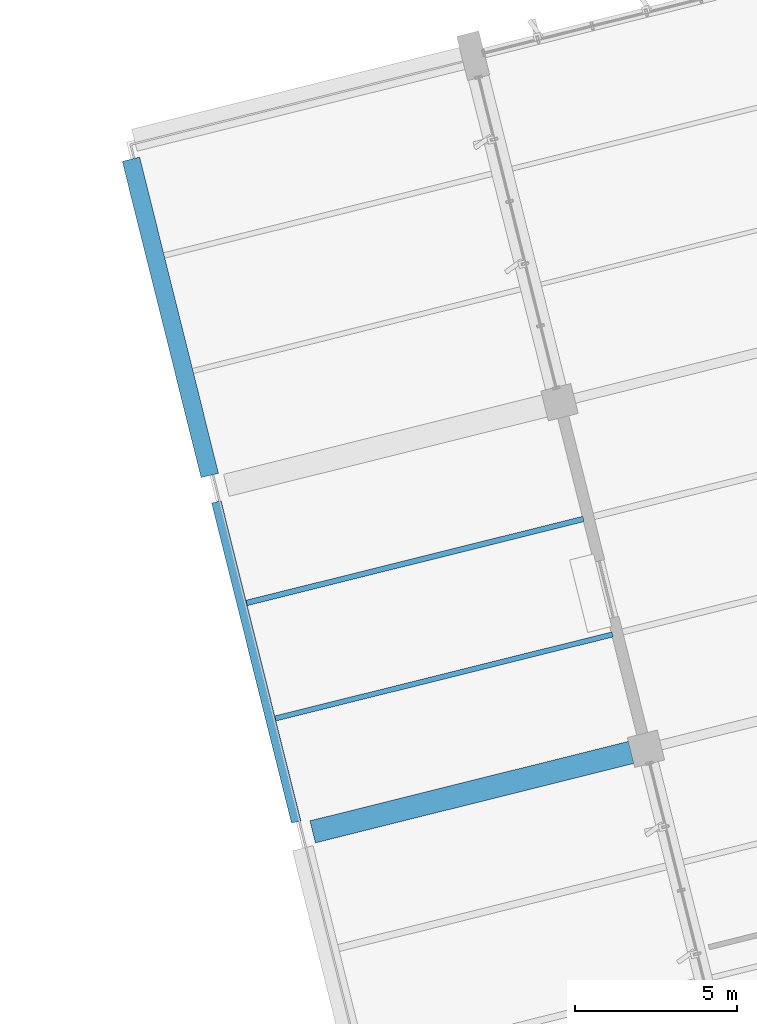
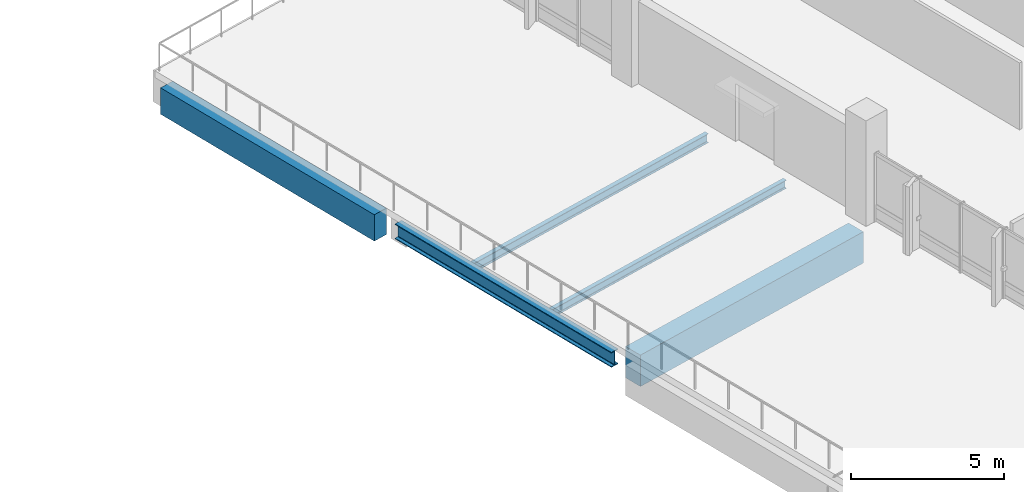
# One storey, part 28 of 75: 5 beams.
"""IFC4 building model written with IfcOpenShell, lengths in metres."""

from ifc_helpers import new_model, si_unit, direction, frame, origin, origin_2d, place, context, subcontext, project, spatial, rectangle, i_section, extrude, material, material_profile, profile_set, type_object, element, save


model = new_model("IFC4")

# Units and contexts
model_context = context("Model", 3, precision=1e-05, world=origin(), true_north=direction((0.0, 1.0)))
body_context = subcontext(model_context, "Body", "Model", "MODEL_VIEW")
ifc_project = project(units=[si_unit("LENGTHUNIT", "METRE"), si_unit("AREAUNIT", "SQUARE_METRE"), si_unit("VOLUMEUNIT", "CUBIC_METRE"), si_unit("PLANEANGLEUNIT", "RADIAN"), si_unit("MASSUNIT", "GRAM", prefix="KILO")], contexts=[model_context])

# Site, building, storey
site_placement = place(None, origin())
site = spatial("IfcSite", under=ifc_project, at=site_placement, CompositionType="ELEMENT")
building_placement = place(site_placement, origin())
building = spatial("IfcBuilding", under=site, at=building_placement, Name="Khorjan Park Terminus", CompositionType="ELEMENT")
storey_placement = place(building_placement, frame((0.0, 0.0, 16.2)))
storey = spatial("IfcBuildingStorey", under=building, at=storey_placement, Name="L03", CompositionType="ELEMENT", Elevation=16.2)

# Beams
ifc_material_1 = material(Name="Steel S355", Category="steel")
ifc_material_profile_1 = material_profile(ifc_material_1, i_section(OverallWidth=0.3, OverallDepth=0.6, WebThickness=0.0155, FlangeThickness=0.03, FilletRadius=0.027, at=origin_2d()), Name="HEB 600")
ifc_profile_set_1 = profile_set([ifc_material_profile_1], Name="Steel S355")
beam_type_1 = type_object("IfcBeamType", Name="BM-HEB600", PredefinedType="BEAM", material=ifc_profile_set_1)
beam_1_placement = place(storey_placement, frame((176.6003, 50.4228, -0.57), z_axis=(-0.241919549545, 0.97029631121, 0.0), x_axis=(-0.97029631121, -0.241919549545, 0.0)))
element("IfcBeam", 1, at=beam_1_placement, inside=storey, type_object=beam_type_1, Name="Primary skew-grid floor girder SB-B60 (L03)", PredefinedType="BEAM", context=body_context, shape_type="SweptSolid", body=[
    extrude(i_section(OverallWidth=0.3, OverallDepth=0.6, WebThickness=0.0155, FlangeThickness=0.03, FilletRadius=0.027, at=origin_2d()), origin(), (0.0, 0.0, 1.0), 10.16),
])
ifc_material_2 = material(Name="Concrete C40/50", Category="concrete")
ifc_material_profile_2 = material_profile(ifc_material_2, rectangle(XDim=0.55, YDim=1.05, at=origin_2d()), Name="RC 550x1050")
ifc_profile_set_2 = profile_set([ifc_material_profile_2], Name="Concrete C40/50")
beam_type_2 = type_object("IfcBeamType", Name="BM-RC550x1050", PredefinedType="BEAM", material=ifc_profile_set_2)
beam_2_placement = place(storey_placement, frame((173.9392, 61.0961, -0.795), z_axis=(-0.24192360021, 0.970295301267, 0.0), x_axis=(-0.970295301267, -0.24192360021, 0.0)))
element("IfcBeam", 2, at=beam_2_placement, inside=storey, type_object=beam_type_2, Name="Primary skew-grid floor girder GB-105 (L03)", PredefinedType="BEAM", context=body_context, shape_type="SweptSolid", body=[
    extrude(rectangle(XDim=0.55, YDim=1.05, at=origin_2d()), origin(), (0.0, 0.0, 1.0), 10.035),
])
ifc_material_profile_3 = material_profile(ifc_material_2, rectangle(XDim=0.7, YDim=1.25, at=origin_2d()), Name="RC 700x1250")
ifc_profile_set_3 = profile_set([ifc_material_profile_3], Name="Concrete C40/50")
beam_type_3 = type_object("IfcBeamType", Name="BM-RC700x1250", PredefinedType="BEAM", material=ifc_profile_set_3)
beam_3_placement = place(storey_placement, frame((177.1095, 50.1169, -0.895), z_axis=(0.970296490369, 0.241918830968, 0.0), x_axis=(-0.241918830968, 0.970296490369, 0.0)))
element("IfcBeam", 3, at=beam_3_placement, inside=storey, type_object=beam_type_3, Name="Primary skew-grid floor girder GB-125 (L03)", PredefinedType="BEAM", context=body_context, shape_type="SweptSolid", body=[
    extrude(rectangle(XDim=0.7, YDim=1.25, at=origin_2d()), origin(), (0.0, 0.0, 1.0), 10.11),
])
ifc_material_profile_4 = material_profile(ifc_material_1, i_section(OverallWidth=0.16, OverallDepth=0.33, WebThickness=0.0075, FlangeThickness=0.0115, FilletRadius=0.018, at=origin_2d()), Name="IPE 330")
ifc_profile_set_4 = profile_set([ifc_material_profile_4], Name="Steel S355")
beam_type_4 = type_object("IfcBeamType", Name="JS-IPE330", PredefinedType="JOIST", material=ifc_profile_set_4)
beam_4_placement = place(storey_placement, frame((175.9604, 53.6094, -0.515), z_axis=(0.970297331913, 0.241915455651, 0.0), x_axis=(-0.241915455651, 0.970297331913, 0.0)))
element("IfcBeam", 4, at=beam_4_placement, inside=storey, type_object=beam_type_4, Name="Secondary composite floor joist SJ-33 (L03)", PredefinedType="JOIST", context=body_context, shape_type="SweptSolid", body=[
    extrude(i_section(OverallWidth=0.16, OverallDepth=0.33, WebThickness=0.0075, FlangeThickness=0.0115, FilletRadius=0.018, at=origin_2d()), origin(), (0.0, 0.0, 1.0), 10.7),
])
ifc_material_profile_5 = material_profile(ifc_material_1, i_section(OverallWidth=0.17, OverallDepth=0.36, WebThickness=0.008, FlangeThickness=0.0127, FilletRadius=0.018, at=origin_2d()), Name="IPE 360")
ifc_profile_set_5 = profile_set([ifc_material_profile_5], Name="Steel S355")
beam_type_5 = type_object("IfcBeamType", Name="JS-IPE360", PredefinedType="JOIST", material=ifc_profile_set_5)
beam_5_placement = place(storey_placement, frame((175.0734, 57.1671, -0.53), z_axis=(0.970297331913, 0.241915455651, 0.0), x_axis=(-0.241915455651, 0.970297331913, 0.0)))
element("IfcBeam", 5, at=beam_5_placement, inside=storey, type_object=beam_type_5, Name="Secondary composite floor joist SJ-36 (L03)", PredefinedType="JOIST", context=body_context, shape_type="SweptSolid", body=[
    extrude(i_section(OverallWidth=0.17, OverallDepth=0.36, WebThickness=0.008, FlangeThickness=0.0127, FilletRadius=0.018, at=origin_2d()), origin(), (0.0, 0.0, 1.0), 10.7),
])

save(model, "model.ifc")
